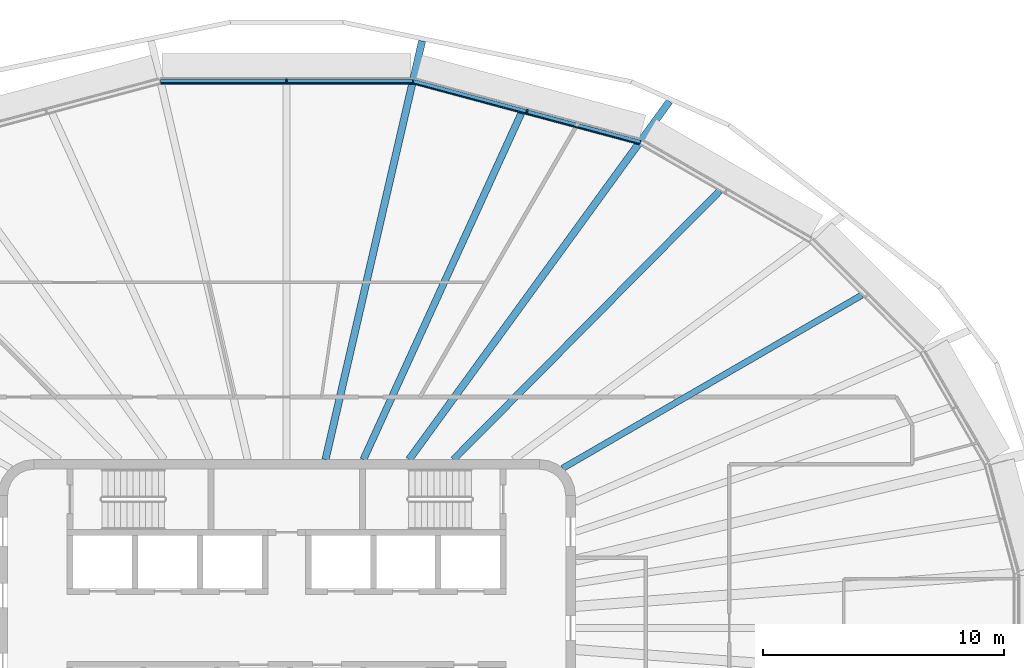
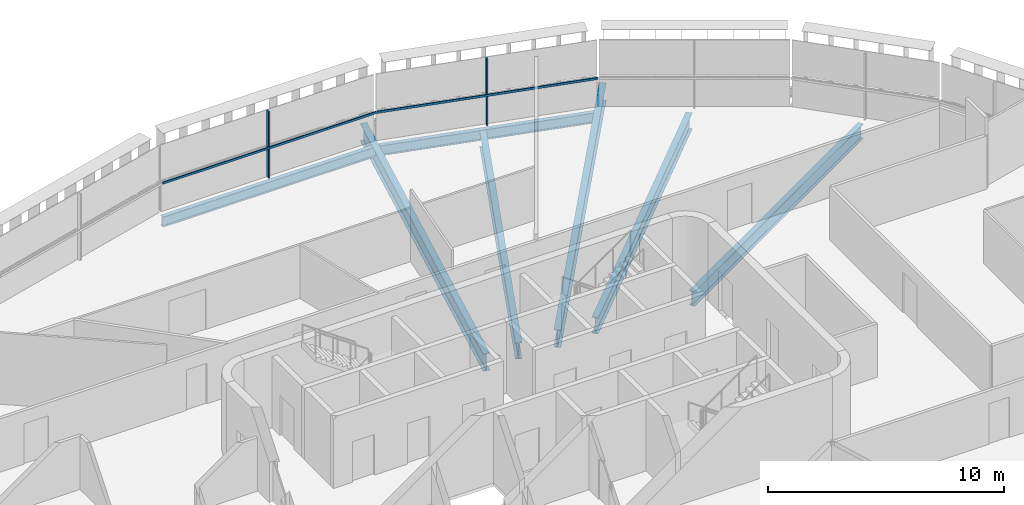
# One storey, part 7 of 20: 7 beams, 4 members, 2 elements without a shape of their own.
"""IFC4 building model written with IfcOpenShell, lengths in metres."""

from ifc_helpers import new_model, si_unit, direction, frame, origin, origin_2d, place, context, subcontext, project, spatial, rectangle, i_section, extrude, material, layer, layer_set, material_profile, profile_set, type_object, element, aggregate, save


model = new_model("IFC4")

# Units and contexts
model_context = context("Model", 3, precision=1e-05, world=origin(), true_north=direction((0.0, 1.0)))
body_context = subcontext(model_context, "Body", "Model", "MODEL_VIEW")
ifc_project = project(units=[si_unit("LENGTHUNIT", "METRE"), si_unit("AREAUNIT", "SQUARE_METRE"), si_unit("VOLUMEUNIT", "CUBIC_METRE"), si_unit("PLANEANGLEUNIT", "RADIAN"), si_unit("MASSUNIT", "GRAM", prefix="KILO")], contexts=[model_context])

# Site, building, storey
site_placement = place(None, origin())
site = spatial("IfcSite", under=ifc_project, at=site_placement, CompositionType="ELEMENT")
building_placement = place(site_placement, origin())
building = spatial("IfcBuilding", under=site, at=building_placement, Name="Sahrelin Media Tower", CompositionType="ELEMENT")
storey_placement = place(building_placement, frame((0.0, 0.0, 245.60009765625)))
storey = spatial("IfcBuildingStorey", under=building, at=storey_placement, Name="L53", CompositionType="ELEMENT", Elevation=245.60009765625)

# Beams
ifc_material_1 = material(Name="Steel S355", Category="steel")
ifc_material_profile_1 = material_profile(ifc_material_1, i_section(OverallWidth=0.208740234375, OverallDepth=0.5283203125, WebThickness=0.009521484375, FlangeThickness=0.01318359375, FilletRadius=0.0126953125, at=origin_2d()), Name="UB 533x210x82")
ifc_profile_set_1 = profile_set([ifc_material_profile_1], Name="Steel S355")
beam_type_1 = type_object("IfcBeamType", Name="Edge beam EB6", PredefinedType="BEAM", material=ifc_profile_set_1)
beam_1_placement = place(storey_placement, frame((-5.239013671875, 22.699951171875, -0.414306640625), z_axis=(1.0, 0.0, 0.0), x_axis=(0.0, 1.0, 0.0)))
element("IfcBeam", 1, at=beam_1_placement, inside=storey, type_object=beam_type_1, Name="Edge beam L53-19", PredefinedType="BEAM", context=body_context, shape_type="SweptSolid", body=[
    extrude(i_section(OverallWidth=0.208740234375, OverallDepth=0.5283203125, WebThickness=0.009521484375, FlangeThickness=0.01318359375, FilletRadius=0.0126953125, at=origin_2d()), origin(), (0.0, 0.0, 1.0), 10.47802734375),
])
beam_2_placement = place(storey_placement, frame((5.267578125, 22.6962890625, -0.414306640625), z_axis=(0.965922692081, -0.258830741845, 0.0), x_axis=(0.258830741845, 0.965922692081, 0.0)))
element("IfcBeam", 2, at=beam_2_placement, inside=storey, type_object=beam_type_1, Name="Edge beam L53-20", PredefinedType="BEAM", context=body_context, shape_type="SweptSolid", body=[
    extrude(i_section(OverallWidth=0.208740234375, OverallDepth=0.5283203125, WebThickness=0.009521484375, FlangeThickness=0.01318359375, FilletRadius=0.0126953125, at=origin_2d()), origin(), (0.0, 0.0, 1.0), 9.755126953125),
])

# Curtain wall, member
ifc_material_2 = material(Name="Champagne anodised aluminium 6063-T6", Category="aluminium")
ifc_layer = layer(ifc_material_2, 0.14990234375)
ifc_layer_set = layer_set([ifc_layer], Name="Tower ribbon curtain wall")
curtain_wall_type = type_object("IfcCurtainWallType", Name="Tower ribbon curtain wall", PredefinedType="NOTDEFINED", material=ifc_layer_set)
curtain_wall_1_placement = place(storey_placement, frame((10.017578125, 21.57861328125, 0.0), z_axis=(0.0, 0.0, 1.0), x_axis=(1.0, 0.0, 0.0)))
curtain_wall_1 = element("IfcCurtainWall", 3, at=curtain_wall_1_placement, inside=storey, type_object=curtain_wall_type, Name="L53:CW:L53-05", PredefinedType="NOTDEFINED")
ifc_material_profile_2 = material_profile(ifc_material_2, rectangle(XDim=0.06005859375, YDim=0.175048828125, at=origin_2d()), Name="Mullion 60x175")
ifc_profile_set_2 = profile_set([ifc_material_profile_2], Name="Champagne anodised aluminium 6063-T6")
member_type_1 = type_object("IfcMemberType", Name="Mullion 60x175 CW1B", PredefinedType="MULLION", material=ifc_profile_set_2)
member_1_placement = place(storey_placement, frame((9.98974609375, 21.474853515625, 0.0), z_axis=(0.0, 0.0, 1.0), x_axis=(-0.965925374563, 0.258820730961, 0.0)))
member_1 = element("IfcMember", 4, at=member_1_placement, type_object=member_type_1, Name="L53:CWM:L53-05", PredefinedType="MULLION", context=body_context, shape_type="SweptSolid", body=[
    extrude(rectangle(XDim=0.06005859375, YDim=0.175048828125, at=origin_2d()), origin(), (0.0, 0.0, 1.0), 3.448486328125),
])

curtain_wall_2_placement = place(storey_placement, frame((0.0, 22.85009765625, 0.0), z_axis=(0.0, 0.0, 1.0), x_axis=(1.0, 0.0, 0.0)))
curtain_wall_2 = element("IfcCurtainWall", 5, at=curtain_wall_2_placement, inside=storey, type_object=curtain_wall_type, Name="L53:CW:L53-06", PredefinedType="NOTDEFINED")
member_2_placement = place(storey_placement, frame((0.0, 22.742431640625, 0.0), z_axis=(0.0, 0.0, 1.0), x_axis=(-1.0, 0.0, 0.0)))
member_2 = element("IfcMember", 6, at=member_2_placement, type_object=member_type_1, Name="L53:CWM:L53-06", PredefinedType="MULLION", context=body_context, shape_type="SweptSolid", body=[
    extrude(rectangle(XDim=0.06005859375, YDim=0.175048828125, at=origin_2d()), origin(), (0.0, 0.0, 1.0), 3.448486328125),
])

# Beams
ifc_material_profile_3 = material_profile(ifc_material_1, i_section(OverallWidth=0.30322265625, OverallDepth=0.903076171875, WebThickness=0.01513671875, FlangeThickness=0.020263671875, FilletRadius=0.01904296875, at=origin_2d()), Name="UB 914x305x201")
ifc_profile_set_3 = profile_set([ifc_material_profile_3], Name="Steel S355")
beam_type_2 = type_object("IfcBeamType", Name="Radial primary beam PB11", PredefinedType="BEAM", material=ifc_profile_set_3)
beam_3_placement = place(storey_placement, frame((5.08837890625, 7.0, -0.6015625), z_axis=(0.587991106654, 0.808867392405, 0.0), x_axis=(-0.808867392405, 0.587991106654, 0.0)))
element("IfcBeam", 7, at=beam_3_placement, inside=storey, type_object=beam_type_2, Name="Radial beam L53-05", PredefinedType="BEAM", context=body_context, shape_type="SweptSolid", body=[
    extrude(i_section(OverallWidth=0.30322265625, OverallDepth=0.903076171875, WebThickness=0.01513671875, FlangeThickness=0.020263671875, FilletRadius=0.01904296875, at=origin_2d()), origin(), (0.0, 0.0, 1.0), 18.4091796875),
])
beam_4_placement = place(storey_placement, frame((1.615478515625, 7.0, -0.6015625), z_axis=(0.224863501495, 0.97439027381, 0.0), x_axis=(-0.97439027381, 0.224863501495, 0.0)))
element("IfcBeam", 8, at=beam_4_placement, inside=storey, type_object=beam_type_2, Name="Radial beam L53-06", PredefinedType="BEAM", context=body_context, shape_type="SweptSolid", body=[
    extrude(i_section(OverallWidth=0.30322265625, OverallDepth=0.903076171875, WebThickness=0.01513671875, FlangeThickness=0.020263671875, FilletRadius=0.01904296875, at=origin_2d()), origin(), (0.0, 0.0, 1.0), 17.853759765625),
])
ifc_material_profile_4 = material_profile(ifc_material_1, i_section(OverallWidth=0.291748046875, OverallDepth=0.8349609375, WebThickness=0.013916015625, FlangeThickness=0.018798828125, FilletRadius=0.017822265625, at=origin_2d()), Name="UB 838x292x176")
ifc_profile_set_4 = profile_set([ifc_material_profile_4], Name="Steel S355")
beam_type_3 = type_object("IfcBeamType", Name="Radial secondary beam SB10", PredefinedType="BEAM", material=ifc_profile_set_4)
beam_5_placement = place(storey_placement, frame((6.934326171875, 7.0, -0.567626953125), z_axis=(0.70375757682, 0.710440196687, 0.0), x_axis=(-0.710440196687, 0.70375757682, 0.0)))
element("IfcBeam", 9, at=beam_5_placement, inside=storey, type_object=beam_type_3, Name="Secondary beam L53-04", PredefinedType="BEAM", context=body_context, shape_type="SweptSolid", body=[
    extrude(i_section(OverallWidth=0.291748046875, OverallDepth=0.8349609375, WebThickness=0.013916015625, FlangeThickness=0.018798828125, FilletRadius=0.017822265625, at=origin_2d()), origin(), (0.0, 0.0, 1.0), 15.70947265625),
])
beam_6_placement = place(storey_placement, frame((3.19091796875, 7.0, -0.567626953125), z_axis=(0.414752003644, 0.90993448966, 0.0), x_axis=(-0.90993448966, 0.414752003644, 0.0)))
element("IfcBeam", 10, at=beam_6_placement, inside=storey, type_object=beam_type_3, Name="Secondary beam L53-05", PredefinedType="BEAM", context=body_context, shape_type="SweptSolid", body=[
    extrude(i_section(OverallWidth=0.291748046875, OverallDepth=0.8349609375, WebThickness=0.013916015625, FlangeThickness=0.018798828125, FilletRadius=0.017822265625, at=origin_2d()), origin(), (0.0, 0.0, 1.0), 15.8115234375),
])
ifc_material_profile_5 = material_profile(ifc_material_1, i_section(OverallWidth=0.26513671875, OverallDepth=0.75390625, WebThickness=0.0126953125, FlangeThickness=0.017578125, FilletRadius=0.0166015625, at=origin_2d()), Name="UB 762x267x147")
ifc_profile_set_5 = profile_set([ifc_material_profile_5], Name="Steel S355")
beam_type_4 = type_object("IfcBeamType", Name="Radial secondary beam SB9", PredefinedType="BEAM", material=ifc_profile_set_5)
beam_7_placement = place(storey_placement, frame((11.465087890625, 6.634033203125, -0.527099609375), z_axis=(0.865540628134, 0.500838717602, 0.0), x_axis=(-0.500838717602, 0.865540628134, 0.0)))
element("IfcBeam", 11, at=beam_7_placement, inside=storey, type_object=beam_type_4, Name="Secondary beam L53-03", PredefinedType="BEAM", context=body_context, shape_type="SweptSolid", body=[
    extrude(i_section(OverallWidth=0.26513671875, OverallDepth=0.75390625, WebThickness=0.0126953125, FlangeThickness=0.017578125, FilletRadius=0.0166015625, at=origin_2d()), origin(), (0.0, 0.0, 1.0), 14.371826171875),
])

# Member
ifc_material_profile_6 = material_profile(ifc_material_2, rectangle(XDim=0.050048828125, YDim=0.110107421875, at=origin_2d()), Name="Transom 50x110")
ifc_profile_set_6 = profile_set([ifc_material_profile_6], Name="Champagne anodised aluminium 6063-T6")
member_type_2 = type_object("IfcMemberType", Name="Transom 50x110 CW1B", PredefinedType="USERDEFINED", material=ifc_profile_set_6)
member_3_placement = place(storey_placement, frame((14.65673828125, 20.10791015625, 1.599853515625), z_axis=(-0.965925860392, 0.25881891783, 0.0), x_axis=(-0.25881891783, -0.965925860392, 0.0)))
member_3 = element("IfcMember", 12, at=member_3_placement, type_object=member_type_2, Name="L53:CWT:L53-05", ObjectType="TRANSOM", PredefinedType="USERDEFINED", context=body_context, shape_type="SweptSolid", body=[
    extrude(rectangle(XDim=0.050048828125, YDim=0.110107421875, at=origin_2d()), origin(), (0.0, 0.0, 1.0), 9.723388671875),
])

aggregate(curtain_wall_1, [member_1, member_3])

member_4_placement = place(storey_placement, frame((5.223388671875, 22.6298828125, 1.599853515625), z_axis=(-1.0, 0.0, 0.0), x_axis=(0.0, -1.0, 0.0)))
member_4 = element("IfcMember", 13, at=member_4_placement, type_object=member_type_2, Name="L53:CWT:L53-06", ObjectType="TRANSOM", PredefinedType="USERDEFINED", context=body_context, shape_type="SweptSolid", body=[
    extrude(rectangle(XDim=0.050048828125, YDim=0.110107421875, at=origin_2d()), origin(), (0.0, 0.0, 1.0), 10.44677734375),
])

aggregate(curtain_wall_2, [member_2, member_4])

save(model, "model.ifc")
